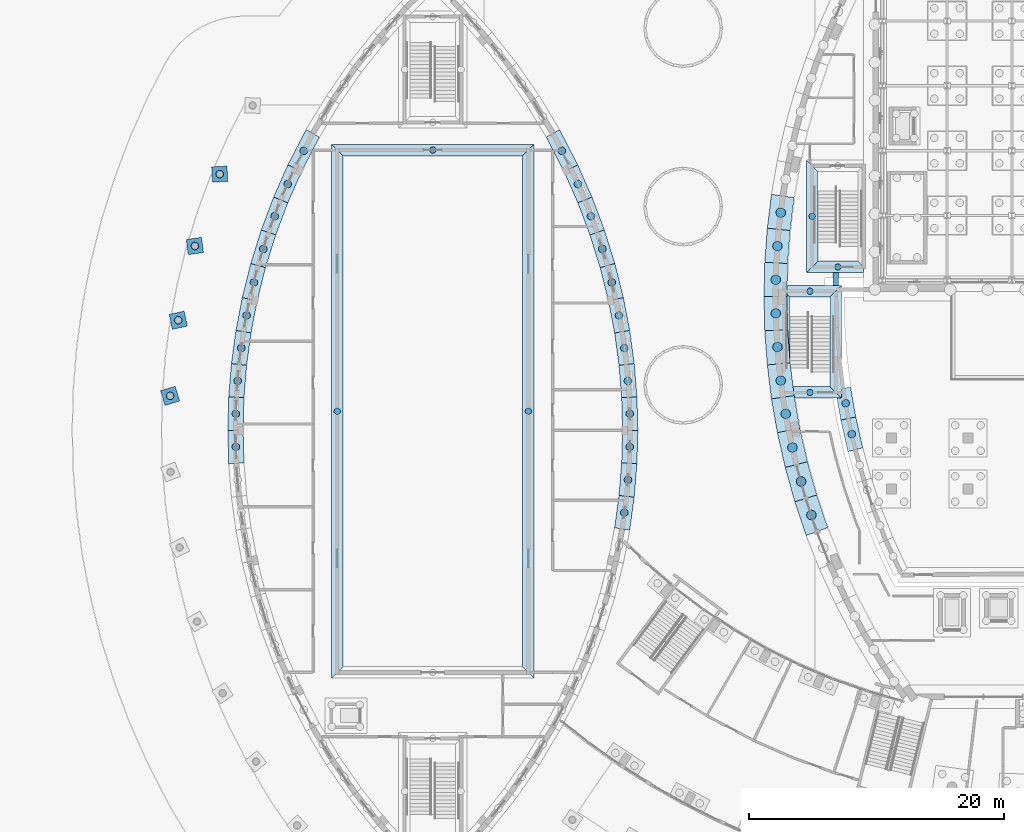
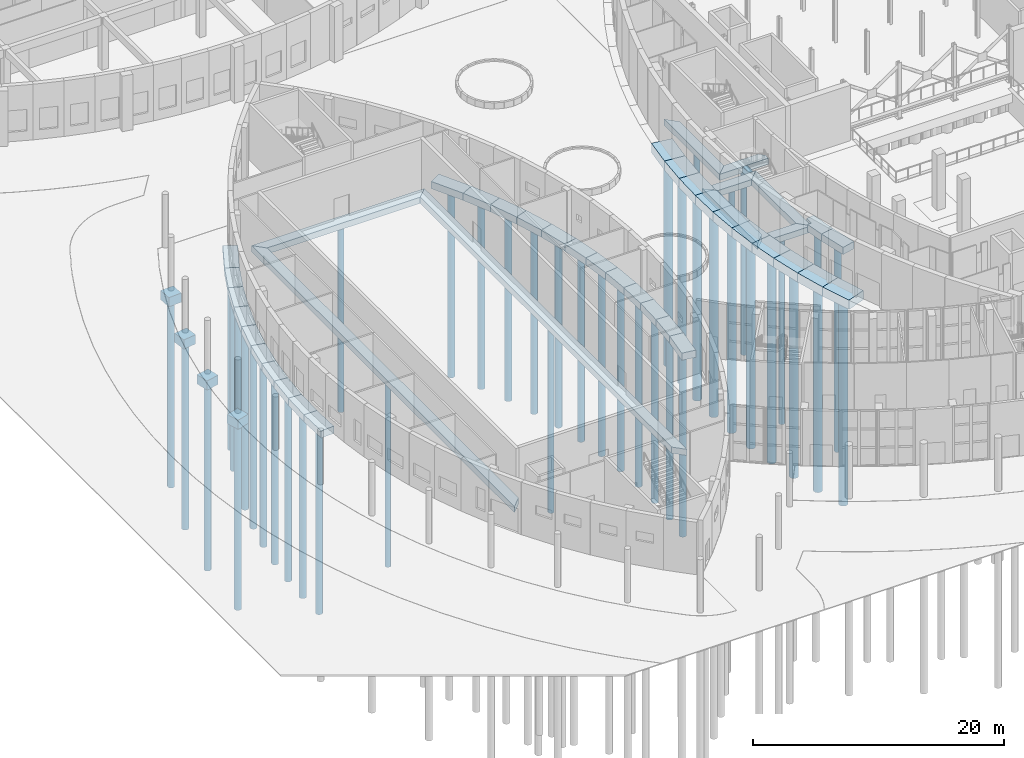
# One storey, part 2 of 82: 48 footings, 45 piles.
"""IFC4 building model written with IfcOpenShell, lengths in metres."""

from ifc_helpers import new_model, si_unit, direction, frame, origin, origin_2d, place, context, subcontext, project, spatial, polyline, rectangle, circle, outline, extrude, material, material_profile, profile_set, type_object, element, save


model = new_model("IFC4")

# Units and contexts
model_context = context("Model", 3, precision=1e-05, world=origin(), true_north=direction((0.0, 1.0)))
body_context = subcontext(model_context, "Body", "Model", "MODEL_VIEW")
ifc_project = project(units=[si_unit("LENGTHUNIT", "METRE"), si_unit("AREAUNIT", "SQUARE_METRE"), si_unit("VOLUMEUNIT", "CUBIC_METRE"), si_unit("PLANEANGLEUNIT", "RADIAN"), si_unit("MASSUNIT", "GRAM", prefix="KILO")], contexts=[model_context])

# Site, building, storey
site_placement = place(None, origin())
site = spatial("IfcSite", under=ifc_project, at=site_placement, CompositionType="ELEMENT")
building_placement = place(site_placement, origin())
building = spatial("IfcBuilding", under=site, at=building_placement, Name="Tide Square Theatres", CompositionType="ELEMENT")
storey_placement = place(building_placement, origin())
storey = spatial("IfcBuildingStorey", under=building, at=storey_placement, Name="L00", CompositionType="ELEMENT", Elevation=0.0)

# Piles
ifc_material_1 = material(Name="Concrete C30", Category="concrete")
ifc_material_profile_1 = material_profile(ifc_material_1, circle(Radius=0.25, at=origin_2d()))
ifc_profile_set_1 = profile_set([ifc_material_profile_1], Name="Concrete C30")
pile_type_1 = type_object("IfcPileType", Name="Bored pile D500", PredefinedType="BORED", material=ifc_profile_set_1)
for number, where, z_axis, x_axis, name in (
    (1, (67.800048828125, 57.324951171875, -0.699951171875), (0.0, 0.0, -1.0), (1.0, 0.0, 0.0), "Bored pile 001"),
    (2, (65.77490234375, 61.300048828125, -0.699951171875), (0.0, 0.0, -1.0), (1.0, 0.0, 0.0), "Bored pile 002"),
    (3, (65.60009765625, 47.47509765625, -0.699951171875), (0.0, 0.0, -1.0), (1.0, 0.0, 0.0), "Bored pile 007"),
    (4, (65.60009765625, 55.425048828125, -0.699951171875), (0.0, 0.0, -1.0), (1.0, 0.0, 0.0), "Bored pile 008"),
    (5, (36.0, 66.5, -0.699951171875), (0.0, 0.0, -1.0), (1.0, 0.0, 0.0), "Bored pile 057"),
    (6, (28.5, 46.0, -0.699951171875), (0.0, 0.0, -1.0), (1.0, 0.0, 0.0), "Bored pile 058"),
    (7, (43.5, 46.0, -0.699951171875), (0.0, 0.0, -1.0), (1.0, 0.0, 0.0), "Bored pile 060"),
):
    element("IfcPile", number, at=place(storey_placement, frame(where, z_axis=z_axis, x_axis=x_axis)), inside=storey, type_object=pile_type_1, Name=name, PredefinedType="BORED", context=body_context, shape_type="SweptSolid", body=[
        extrude(circle(Radius=0.25, at=origin_2d()), origin(), (0.0, 0.0, 1.0), 18.14990234375),
    ])
ifc_material_2 = material(Name="Concrete C30", Category="concrete")
ifc_material_profile_2 = material_profile(ifc_material_2, circle(Radius=0.300048828125, at=origin_2d()))
ifc_profile_set_2 = profile_set([ifc_material_profile_2], Name="Concrete C30")
pile_type_2 = type_object("IfcPileType", Name="Bored pile D600", PredefinedType="BORED", material=ifc_profile_set_2)
for number, where, z_axis, x_axis, name in (
    (8, (19.2744140625, 64.614501953125, -1.0), (0.0, 0.0, -1.0), (1.0, 0.0, 0.0), "Foyer bored pile"),
    (9, (17.32275390625, 58.970703125, -1.0), (0.0, 0.0, -1.0), (1.0, 0.0, 0.0), "Foyer bored pile"),
    (10, (16.0185546875, 53.143310546875, -1.0), (0.0, 0.0, -1.0), (1.0, 0.0, 0.0), "Foyer bored pile"),
    (11, (15.378662109375, 47.2060546875, -1.0), (0.0, 0.0, -1.0), (1.0, 0.0, 0.0), "Foyer bored pile"),
):
    element("IfcPile", number, at=place(storey_placement, frame(where, z_axis=z_axis, x_axis=x_axis)), inside=storey, type_object=pile_type_2, Name=name, PredefinedType="BORED", context=body_context, shape_type="SweptSolid", body=[
        extrude(circle(Radius=0.300048828125, at=origin_2d()), origin(), (0.0, 0.0, 1.0), 18.14990234375),
    ])
for number, where, z_axis, x_axis, name in (
    (12, (68.404052734375, 46.616943359375, -0.550048828125), (0.0, 0.0, -1.0), (1.0, 0.0, 0.0), "Bored pile"),
    (13, (68.886474609375, 44.20751953125, -0.550048828125), (0.0, 0.0, -1.0), (1.0, 0.0, 0.0), "Bored pile"),
):
    element("IfcPile", number, at=place(storey_placement, frame(where, z_axis=z_axis, x_axis=x_axis)), inside=storey, type_object=pile_type_2, Name=name, PredefinedType="BORED", context=body_context, shape_type="SweptSolid", body=[
        extrude(circle(Radius=0.300048828125, at=origin_2d()), origin(), (0.0, 0.0, 1.0), 20.14990234375),
    ])
for number, where, z_axis, x_axis, name in (
    (14, (51.03662109375, 38.0400390625, -0.800048828125), (0.0, 0.0, -1.0), (1.0, 0.0, 0.0), "Bored pile 012"),
    (15, (51.317138671875, 40.616455078125, -0.800048828125), (0.0, 0.0, -1.0), (1.0, 0.0, 0.0), "Bored pile 013"),
    (16, (51.457763671875, 43.2041015625, -0.800048828125), (0.0, 0.0, -1.0), (1.0, 0.0, 0.0), "Bored pile 014"),
    (17, (51.457763671875, 45.7958984375, -0.800048828125), (0.0, 0.0, -1.0), (1.0, 0.0, 0.0), "Bored pile 015"),
    (18, (51.317138671875, 48.383544921875, -0.800048828125), (0.0, 0.0, -1.0), (1.0, 0.0, 0.0), "Bored pile 016"),
    (19, (51.03662109375, 50.9599609375, -0.800048828125), (0.0, 0.0, -1.0), (1.0, 0.0, 0.0), "Bored pile 017"),
    (20, (50.61669921875, 53.51708984375, -0.800048828125), (0.0, 0.0, -1.0), (1.0, 0.0, 0.0), "Bored pile 018"),
    (21, (50.040771484375, 56.1123046875, -0.800048828125), (0.0, 0.0, -1.0), (1.0, 0.0, 0.0), "Bored pile 019"),
    (22, (49.303466796875, 58.7353515625, -0.800048828125), (0.0, 0.0, -1.0), (1.0, 0.0, 0.0), "Bored pile 020"),
    (23, (48.41796875, 61.31201171875, -0.800048828125), (0.0, 0.0, -1.0), (1.0, 0.0, 0.0), "Bored pile 021"),
    (24, (47.386962890625, 63.833984375, -0.800048828125), (0.0, 0.0, -1.0), (1.0, 0.0, 0.0), "Bored pile 022"),
    (25, (46.130126953125, 66.444091796875, -0.800048828125), (0.0, 0.0, -1.0), (1.0, 0.0, 0.0), "Bored pile 023"),
    (26, (25.869873046875, 66.444091796875, -0.800048828125), (0.0, 0.0, -1.0), (1.0, 0.0, 0.0), "Bored pile 034"),
    (27, (24.613037109375, 63.833984375, -0.800048828125), (0.0, 0.0, -1.0), (1.0, 0.0, 0.0), "Bored pile 035"),
    (28, (23.58203125, 61.31201171875, -0.800048828125), (0.0, 0.0, -1.0), (1.0, 0.0, 0.0), "Bored pile 036"),
    (29, (22.696533203125, 58.7353515625, -0.800048828125), (0.0, 0.0, -1.0), (1.0, 0.0, 0.0), "Bored pile 037"),
    (30, (21.959228515625, 56.1123046875, -0.800048828125), (0.0, 0.0, -1.0), (1.0, 0.0, 0.0), "Bored pile 038"),
    (31, (21.38330078125, 53.51708984375, -0.800048828125), (0.0, 0.0, -1.0), (1.0, 0.0, 0.0), "Bored pile 039"),
    (32, (20.96337890625, 50.9599609375, -0.800048828125), (0.0, 0.0, -1.0), (1.0, 0.0, 0.0), "Bored pile 040"),
    (33, (20.682861328125, 48.383544921875, -0.800048828125), (0.0, 0.0, -1.0), (1.0, 0.0, 0.0), "Bored pile 041"),
    (34, (20.542236328125, 45.7958984375, -0.800048828125), (0.0, 0.0, -1.0), (1.0, 0.0, 0.0), "Bored pile 042"),
    (35, (20.542236328125, 43.2041015625, -0.800048828125), (0.0, 0.0, -1.0), (1.0, 0.0, 0.0), "Bored pile 043"),
):
    element("IfcPile", number, at=place(storey_placement, frame(where, z_axis=z_axis, x_axis=x_axis)), inside=storey, type_object=pile_type_2, Name=name, PredefinedType="BORED", context=body_context, shape_type="SweptSolid", body=[
        extrude(circle(Radius=0.300048828125, at=origin_2d()), origin(), (0.0, 0.0, 1.0), 18.14990234375),
    ])
ifc_material_3 = material(Name="Concrete C30", Category="concrete")
ifc_material_profile_3 = material_profile(ifc_material_3, circle(Radius=0.375, at=origin_2d()))
ifc_profile_set_3 = profile_set([ifc_material_profile_3], Name="Concrete C30")
pile_type_3 = type_object("IfcPileType", Name="Bored pile D750", PredefinedType="BORED", material=ifc_profile_set_3)
for number, where, z_axis, x_axis, name in (
    (36, (63.3115234375, 61.588623046875, -0.75), (0.0, 0.0, -1.0), (1.0, 0.0, 0.0), "Bored pile"),
    (37, (63.05224609375, 58.95947265625, -0.75), (0.0, 0.0, -1.0), (1.0, 0.0, 0.0), "Bored pile"),
    (38, (62.922607421875, 56.32080078125, -0.75), (0.0, 0.0, -1.0), (1.0, 0.0, 0.0), "Bored pile"),
    (39, (62.922607421875, 53.67919921875, -0.75), (0.0, 0.0, -1.0), (1.0, 0.0, 0.0), "Bored pile"),
    (40, (63.05224609375, 51.04052734375, -0.75), (0.0, 0.0, -1.0), (1.0, 0.0, 0.0), "Bored pile"),
    (41, (63.3115234375, 48.411376953125, -0.75), (0.0, 0.0, -1.0), (1.0, 0.0, 0.0), "Bored pile"),
    (42, (63.69970703125, 45.79833984375, -0.75), (0.0, 0.0, -1.0), (1.0, 0.0, 0.0), "Bored pile"),
    (43, (64.22900390625, 43.154296875, -0.75), (0.0, 0.0, -1.0), (1.0, 0.0, 0.0), "Bored pile"),
    (44, (64.90380859375, 40.48681640625, -0.75), (0.0, 0.0, -1.0), (1.0, 0.0, 0.0), "Bored pile"),
    (45, (65.714111328125, 37.857421875, -0.75), (0.0, 0.0, -1.0), (1.0, 0.0, 0.0), "Bored pile"),
):
    element("IfcPile", number, at=place(storey_placement, frame(where, z_axis=z_axis, x_axis=x_axis)), inside=storey, type_object=pile_type_3, Name=name, PredefinedType="BORED", context=body_context, shape_type="SweptSolid", body=[
        extrude(circle(Radius=0.375, at=origin_2d()), origin(), (0.0, 0.0, 1.0), 20.14990234375),
    ])

# Footings
ifc_material_4 = material(Name="Concrete C35", Category="concrete")
footing_type_1 = type_object("IfcFootingType", Name="Ground beam 400 x 600", PredefinedType="FOOTING_BEAM", material=ifc_material_4)
footing_1_placement = place(storey_placement, frame((0.0, 0.0, -0.85009765625)))
element("IfcFooting", 46, at=footing_1_placement, inside=storey, type_object=footing_type_1, Name="Main Theatre West Circle Stair ground beam 012", PredefinedType="FOOTING_BEAM", context=body_context, shape_type="SweptSolid", body=[
    extrude(outline(polyline([(67.824951171875, 55.8701171875), (67.425048828125, 55.8701171875), (67.425048828125, 56.8759765625), (67.824951171875, 56.8759765625), (67.824951171875, 55.8701171875)])), origin(), (0.0, 0.0, 1.0), 0.60009765625),
])
ifc_material_5 = material(Name="Concrete C35", Category="concrete")
footing_type_2 = type_object("IfcFootingType", Name="Pile cap 1 piles D600", PredefinedType="PILE_CAP", material=ifc_material_5)
for number, where, z_axis, x_axis, name in (
    (47, (19.2744140625, 64.614501953125, -1.14990234375), (0.0, 0.0, 1.0), (0.052234865609, -0.998634827559, 0.0), "Foyer pile cap"),
    (48, (17.32275390625, 58.970703125, -1.14990234375), (0.0, 0.0, 1.0), (0.134193733514, -0.990955115979, 0.0), "Foyer pile cap"),
    (49, (16.0185546875, 53.143310546875, -1.14990234375), (0.0, 0.0, 1.0), (0.213502720104, -0.976942469395, 0.0), "Foyer pile cap"),
    (50, (15.378662109375, 47.2060546875, -1.14990234375), (0.0, 0.0, 1.0), (0.290002404894, -0.957025916658, 0.0), "Foyer pile cap"),
):
    element("IfcFooting", number, at=place(storey_placement, frame(where, z_axis=z_axis, x_axis=x_axis)), inside=storey, type_object=footing_type_2, Name=name, PredefinedType="PILE_CAP", context=body_context, shape_type="SweptSolid", body=[
        extrude(rectangle(XDim=1.199951171875, YDim=1.199951171875, at=origin_2d()), origin(), (0.0, 0.0, 1.0), 0.89990234375),
    ])
ifc_material_6 = material(Name="Concrete C35", Category="concrete")
footing_type_3 = type_object("IfcFootingType", Name="Strip footing 1200 x 700", PredefinedType="STRIP_FOOTING", material=ifc_material_6)
footing_2_placement = place(storey_placement, frame((0.0, 0.0, -0.699951171875)))
element("IfcFooting", 51, at=footing_2_placement, inside=storey, type_object=footing_type_3, Name="Strip footing", PredefinedType="STRIP_FOOTING", context=body_context, shape_type="SweptSolid", body=[
    extrude(outline(polyline([(68.791748046875, 47.889892578125), (69.198486328125, 45.549560546875), (68.021240234375, 45.314453125), (67.72412109375, 47.02490234375), (68.074951171875, 47.02490234375), (68.074951171875, 47.783447265625), (68.791748046875, 47.889892578125)])), origin(), (0.0, 0.0, 1.0), 0.699951171875),
])
footing_3_placement = place(storey_placement, frame((0.0, 0.0, -0.699951171875)))
element("IfcFooting", 52, at=footing_3_placement, inside=storey, type_object=footing_type_3, Name="Strip footing", PredefinedType="STRIP_FOOTING", context=body_context, shape_type="SweptSolid", body=[
    extrude(outline(polyline([(68.021240234375, 45.314453125), (68.5810546875, 42.836181640625), (69.744873046875, 43.130615234375), (69.198486328125, 45.549560546875), (68.021240234375, 45.314453125)])), origin(), (0.0, 0.0, 1.0), 0.699951171875),
])
footing_4_placement = place(storey_placement, frame((0.0, 0.0, -0.949951171875)))
element("IfcFooting", 53, at=footing_4_placement, inside=storey, type_object=footing_type_3, Name="Studio Theatre wall strip footing 012", PredefinedType="STRIP_FOOTING", context=body_context, shape_type="SweptSolid", body=[
    extrude(outline(polyline([(51.45361328125, 36.658447265625), (51.80859375, 39.259521484375), (50.614990234375, 39.389404296875), (50.26904296875, 36.852783203125), (51.45361328125, 36.658447265625)])), origin(), (0.0, 0.0, 1.0), 0.699951171875),
])
footing_5_placement = place(storey_placement, frame((0.0, 0.0, -0.949951171875)))
element("IfcFooting", 54, at=footing_5_placement, inside=storey, type_object=footing_type_3, Name="Studio Theatre wall strip footing 013", PredefinedType="STRIP_FOOTING", context=body_context, shape_type="SweptSolid", body=[
    extrude(outline(polyline([(51.80859375, 39.259521484375), (52.021728515625, 41.8759765625), (50.8232421875, 41.94091796875), (50.614990234375, 39.389404296875), (51.80859375, 39.259521484375)])), origin(), (0.0, 0.0, 1.0), 0.699951171875),
])
footing_6_placement = place(storey_placement, frame((0.0, 0.0, -0.949951171875)))
element("IfcFooting", 55, at=footing_6_placement, inside=storey, type_object=footing_type_3, Name="Studio Theatre wall strip footing 014", PredefinedType="STRIP_FOOTING", context=body_context, shape_type="SweptSolid", body=[
    extrude(outline(polyline([(52.021728515625, 41.8759765625), (52.093017578125, 44.5), (50.892578125, 44.5), (50.8232421875, 41.94091796875), (52.021728515625, 41.8759765625)])), origin(), (0.0, 0.0, 1.0), 0.699951171875),
])
footing_7_placement = place(storey_placement, frame((0.0, 0.0, -0.949951171875)))
element("IfcFooting", 56, at=footing_7_placement, inside=storey, type_object=footing_type_3, Name="Studio Theatre wall strip footing 015", PredefinedType="STRIP_FOOTING", context=body_context, shape_type="SweptSolid", body=[
    extrude(outline(polyline([(52.093017578125, 44.5), (52.021728515625, 47.1240234375), (50.8232421875, 47.05908203125), (50.892578125, 44.5), (52.093017578125, 44.5)])), origin(), (0.0, 0.0, 1.0), 0.699951171875),
])
footing_8_placement = place(storey_placement, frame((0.0, 0.0, -0.949951171875)))
element("IfcFooting", 57, at=footing_8_placement, inside=storey, type_object=footing_type_3, Name="Studio Theatre wall strip footing 016", PredefinedType="STRIP_FOOTING", context=body_context, shape_type="SweptSolid", body=[
    extrude(outline(polyline([(52.021728515625, 47.1240234375), (51.80859375, 49.740478515625), (50.614990234375, 49.610595703125), (50.8232421875, 47.05908203125), (52.021728515625, 47.1240234375)])), origin(), (0.0, 0.0, 1.0), 0.699951171875),
])
footing_9_placement = place(storey_placement, frame((0.0, 0.0, -0.949951171875)))
element("IfcFooting", 58, at=footing_9_placement, inside=storey, type_object=footing_type_3, Name="Studio Theatre wall strip footing 017", PredefinedType="STRIP_FOOTING", context=body_context, shape_type="SweptSolid", body=[
    extrude(outline(polyline([(51.80859375, 49.740478515625), (51.45361328125, 52.341552734375), (50.26904296875, 52.147216796875), (50.614990234375, 49.610595703125), (51.80859375, 49.740478515625)])), origin(), (0.0, 0.0, 1.0), 0.699951171875),
])
footing_10_placement = place(storey_placement, frame((0.0, 0.0, -0.949951171875)))
element("IfcFooting", 59, at=footing_10_placement, inside=storey, type_object=footing_type_3, Name="Studio Theatre wall strip footing 018", PredefinedType="STRIP_FOOTING", context=body_context, shape_type="SweptSolid", body=[
    extrude(outline(polyline([(51.45361328125, 52.341552734375), (50.9580078125, 54.919921875), (49.785888671875, 54.660400390625), (50.26904296875, 52.147216796875), (51.45361328125, 52.341552734375)])), origin(), (0.0, 0.0, 1.0), 0.699951171875),
])
footing_11_placement = place(storey_placement, frame((0.0, 0.0, -0.949951171875)))
element("IfcFooting", 60, at=footing_11_placement, inside=storey, type_object=footing_type_3, Name="Studio Theatre wall strip footing 019", PredefinedType="STRIP_FOOTING", context=body_context, shape_type="SweptSolid", body=[
    extrude(outline(polyline([(50.9580078125, 54.919921875), (50.287353515625, 57.5966796875), (49.131591796875, 57.27197265625), (49.785888671875, 54.660400390625), (50.9580078125, 54.919921875)])), origin(), (0.0, 0.0, 1.0), 0.699951171875),
])
footing_12_placement = place(storey_placement, frame((0.0, 0.0, -0.949951171875)))
element("IfcFooting", 61, at=footing_12_placement, inside=storey, type_object=footing_type_3, Name="Studio Theatre wall strip footing 020", PredefinedType="STRIP_FOOTING", context=body_context, shape_type="SweptSolid", body=[
    extrude(outline(polyline([(50.287353515625, 57.5966796875), (49.465087890625, 60.2314453125), (48.329833984375, 59.84130859375), (49.131591796875, 57.27197265625), (50.287353515625, 57.5966796875)])), origin(), (0.0, 0.0, 1.0), 0.699951171875),
])
footing_13_placement = place(storey_placement, frame((0.0, 0.0, -0.949951171875)))
element("IfcFooting", 62, at=footing_13_placement, inside=storey, type_object=footing_type_3, Name="Studio Theatre wall strip footing 021", PredefinedType="STRIP_FOOTING", context=body_context, shape_type="SweptSolid", body=[
    extrude(outline(polyline([(49.465087890625, 60.2314453125), (48.493896484375, 62.81494140625), (47.3828125, 62.360595703125), (48.329833984375, 59.84130859375), (49.465087890625, 60.2314453125)])), origin(), (0.0, 0.0, 1.0), 0.699951171875),
])
footing_14_placement = place(storey_placement, frame((0.0, 0.0, -0.949951171875)))
element("IfcFooting", 63, at=footing_14_placement, inside=storey, type_object=footing_type_3, Name="Studio Theatre wall strip footing 022", PredefinedType="STRIP_FOOTING", context=body_context, shape_type="SweptSolid", body=[
    extrude(outline(polyline([(48.493896484375, 62.81494140625), (47.376708984375, 65.339599609375), (46.294189453125, 64.82080078125), (47.3828125, 62.360595703125), (48.493896484375, 62.81494140625)])), origin(), (0.0, 0.0, 1.0), 0.699951171875),
])
footing_15_placement = place(storey_placement, frame((0.0, 0.0, -0.949951171875)))
element("IfcFooting", 64, at=footing_15_placement, inside=storey, type_object=footing_type_3, Name="Studio Theatre wall strip footing 023", PredefinedType="STRIP_FOOTING", context=body_context, shape_type="SweptSolid", body=[
    extrude(outline(polyline([(47.376708984375, 65.339599609375), (45.948974609375, 68.100830078125), (44.90087890625, 67.515380859375), (46.294189453125, 64.82080078125), (47.376708984375, 65.339599609375)])), origin(), (0.0, 0.0, 1.0), 0.699951171875),
])
footing_16_placement = place(storey_placement, frame((0.0, 0.0, -0.949951171875)))
element("IfcFooting", 65, at=footing_16_placement, inside=storey, type_object=footing_type_3, Name="Studio Theatre wall strip footing 034", PredefinedType="STRIP_FOOTING", context=body_context, shape_type="SweptSolid", body=[
    extrude(outline(polyline([(26.051025390625, 68.100830078125), (24.623291015625, 65.339599609375), (25.705810546875, 64.82080078125), (27.09912109375, 67.515380859375), (26.051025390625, 68.100830078125)])), origin(), (0.0, 0.0, 1.0), 0.699951171875),
])
footing_17_placement = place(storey_placement, frame((0.0, 0.0, -0.949951171875)))
element("IfcFooting", 66, at=footing_17_placement, inside=storey, type_object=footing_type_3, Name="Studio Theatre wall strip footing 035", PredefinedType="STRIP_FOOTING", context=body_context, shape_type="SweptSolid", body=[
    extrude(outline(polyline([(24.623291015625, 65.339599609375), (23.506103515625, 62.81494140625), (24.6171875, 62.360595703125), (25.705810546875, 64.82080078125), (24.623291015625, 65.339599609375)])), origin(), (0.0, 0.0, 1.0), 0.699951171875),
])
footing_18_placement = place(storey_placement, frame((0.0, 0.0, -0.949951171875)))
element("IfcFooting", 67, at=footing_18_placement, inside=storey, type_object=footing_type_3, Name="Studio Theatre wall strip footing 036", PredefinedType="STRIP_FOOTING", context=body_context, shape_type="SweptSolid", body=[
    extrude(outline(polyline([(23.506103515625, 62.81494140625), (22.534912109375, 60.2314453125), (23.670166015625, 59.84130859375), (24.6171875, 62.360595703125), (23.506103515625, 62.81494140625)])), origin(), (0.0, 0.0, 1.0), 0.699951171875),
])
footing_19_placement = place(storey_placement, frame((0.0, 0.0, -0.949951171875)))
element("IfcFooting", 68, at=footing_19_placement, inside=storey, type_object=footing_type_3, Name="Studio Theatre wall strip footing 037", PredefinedType="STRIP_FOOTING", context=body_context, shape_type="SweptSolid", body=[
    extrude(outline(polyline([(22.534912109375, 60.2314453125), (21.712646484375, 57.5966796875), (22.868408203125, 57.27197265625), (23.670166015625, 59.84130859375), (22.534912109375, 60.2314453125)])), origin(), (0.0, 0.0, 1.0), 0.699951171875),
])
footing_20_placement = place(storey_placement, frame((0.0, 0.0, -0.949951171875)))
element("IfcFooting", 69, at=footing_20_placement, inside=storey, type_object=footing_type_3, Name="Studio Theatre wall strip footing 038", PredefinedType="STRIP_FOOTING", context=body_context, shape_type="SweptSolid", body=[
    extrude(outline(polyline([(21.712646484375, 57.5966796875), (21.0419921875, 54.919921875), (22.214111328125, 54.660400390625), (22.868408203125, 57.27197265625), (21.712646484375, 57.5966796875)])), origin(), (0.0, 0.0, 1.0), 0.699951171875),
])
footing_21_placement = place(storey_placement, frame((0.0, 0.0, -0.949951171875)))
element("IfcFooting", 70, at=footing_21_placement, inside=storey, type_object=footing_type_3, Name="Studio Theatre wall strip footing 039", PredefinedType="STRIP_FOOTING", context=body_context, shape_type="SweptSolid", body=[
    extrude(outline(polyline([(21.0419921875, 54.919921875), (20.54638671875, 52.341552734375), (21.73095703125, 52.147216796875), (22.214111328125, 54.660400390625), (21.0419921875, 54.919921875)])), origin(), (0.0, 0.0, 1.0), 0.699951171875),
])
footing_22_placement = place(storey_placement, frame((0.0, 0.0, -0.949951171875)))
element("IfcFooting", 71, at=footing_22_placement, inside=storey, type_object=footing_type_3, Name="Studio Theatre wall strip footing 040", PredefinedType="STRIP_FOOTING", context=body_context, shape_type="SweptSolid", body=[
    extrude(outline(polyline([(20.54638671875, 52.341552734375), (20.19140625, 49.740478515625), (21.385009765625, 49.610595703125), (21.73095703125, 52.147216796875), (20.54638671875, 52.341552734375)])), origin(), (0.0, 0.0, 1.0), 0.699951171875),
])
footing_23_placement = place(storey_placement, frame((0.0, 0.0, -0.949951171875)))
element("IfcFooting", 72, at=footing_23_placement, inside=storey, type_object=footing_type_3, Name="Studio Theatre wall strip footing 041", PredefinedType="STRIP_FOOTING", context=body_context, shape_type="SweptSolid", body=[
    extrude(outline(polyline([(20.19140625, 49.740478515625), (19.978271484375, 47.1240234375), (21.1767578125, 47.05908203125), (21.385009765625, 49.610595703125), (20.19140625, 49.740478515625)])), origin(), (0.0, 0.0, 1.0), 0.699951171875),
])
footing_24_placement = place(storey_placement, frame((0.0, 0.0, -0.949951171875)))
element("IfcFooting", 73, at=footing_24_placement, inside=storey, type_object=footing_type_3, Name="Studio Theatre wall strip footing 042", PredefinedType="STRIP_FOOTING", context=body_context, shape_type="SweptSolid", body=[
    extrude(outline(polyline([(19.978271484375, 47.1240234375), (19.906982421875, 44.5), (21.107421875, 44.5), (21.1767578125, 47.05908203125), (19.978271484375, 47.1240234375)])), origin(), (0.0, 0.0, 1.0), 0.699951171875),
])
footing_25_placement = place(storey_placement, frame((0.0, 0.0, -0.949951171875)))
element("IfcFooting", 74, at=footing_25_placement, inside=storey, type_object=footing_type_3, Name="Studio Theatre wall strip footing 043", PredefinedType="STRIP_FOOTING", context=body_context, shape_type="SweptSolid", body=[
    extrude(outline(polyline([(19.906982421875, 44.5), (19.978271484375, 41.8759765625), (21.1767578125, 41.94091796875), (21.107421875, 44.5), (19.906982421875, 44.5)])), origin(), (0.0, 0.0, 1.0), 0.699951171875),
])
ifc_material_7 = material(Name="Concrete C35", Category="concrete")
footing_type_4 = type_object("IfcFootingType", Name="Strip footing 1800 x 900", PredefinedType="STRIP_FOOTING", material=ifc_material_7)
footing_26_placement = place(storey_placement, frame((0.0, 0.0, -0.89990234375)))
element("IfcFooting", 75, at=footing_26_placement, inside=storey, type_object=footing_type_4, Name="Strip footing", PredefinedType="STRIP_FOOTING", context=body_context, shape_type="SweptSolid", body=[
    extrude(outline(polyline([(62.5830078125, 63.0322265625), (62.253662109375, 60.365478515625), (64.04541015625, 60.18896484375), (64.364013671875, 62.767578125), (62.5830078125, 63.0322265625)])), origin(), (0.0, 0.0, 1.0), 0.89990234375),
])
footing_27_placement = place(storey_placement, frame((0.0, 0.0, -0.89990234375)))
element("IfcFooting", 76, at=footing_27_placement, inside=storey, type_object=footing_type_4, Name="Strip footing", PredefinedType="STRIP_FOOTING", context=body_context, shape_type="SweptSolid", body=[
    extrude(outline(polyline([(62.253662109375, 60.365478515625), (62.055908203125, 57.68603515625), (63.85400390625, 57.59765625), (64.04541015625, 60.18896484375), (62.253662109375, 60.365478515625)])), origin(), (0.0, 0.0, 1.0), 0.89990234375),
])
footing_28_placement = place(storey_placement, frame((0.0, 0.0, -0.89990234375)))
element("IfcFooting", 77, at=footing_28_placement, inside=storey, type_object=footing_type_4, Name="Strip footing", PredefinedType="STRIP_FOOTING", context=body_context, shape_type="SweptSolid", body=[
    extrude(outline(polyline([(62.055908203125, 57.68603515625), (61.98974609375, 55.0), (63.790283203125, 55.0), (63.85400390625, 57.59765625), (62.055908203125, 57.68603515625)])), origin(), (0.0, 0.0, 1.0), 0.89990234375),
])
footing_29_placement = place(storey_placement, frame((0.0, 0.0, -0.89990234375)))
element("IfcFooting", 78, at=footing_29_placement, inside=storey, type_object=footing_type_4, Name="Strip footing", PredefinedType="STRIP_FOOTING", context=body_context, shape_type="SweptSolid", body=[
    extrude(outline(polyline([(61.98974609375, 55.0), (62.055908203125, 52.31396484375), (63.85400390625, 52.40234375), (63.790283203125, 55.0), (61.98974609375, 55.0)])), origin(), (0.0, 0.0, 1.0), 0.89990234375),
])
footing_30_placement = place(storey_placement, frame((0.0, 0.0, -0.89990234375)))
element("IfcFooting", 79, at=footing_30_placement, inside=storey, type_object=footing_type_4, Name="Strip footing", PredefinedType="STRIP_FOOTING", context=body_context, shape_type="SweptSolid", body=[
    extrude(outline(polyline([(62.055908203125, 52.31396484375), (62.253662109375, 49.634521484375), (64.04541015625, 49.81103515625), (63.85400390625, 52.40234375), (62.055908203125, 52.31396484375)])), origin(), (0.0, 0.0, 1.0), 0.89990234375),
])
footing_31_placement = place(storey_placement, frame((0.0, 0.0, -0.89990234375)))
element("IfcFooting", 80, at=footing_31_placement, inside=storey, type_object=footing_type_4, Name="Strip footing", PredefinedType="STRIP_FOOTING", context=body_context, shape_type="SweptSolid", body=[
    extrude(outline(polyline([(62.253662109375, 49.634521484375), (62.5830078125, 46.9677734375), (64.364013671875, 47.232421875), (64.04541015625, 49.81103515625), (62.253662109375, 49.634521484375)])), origin(), (0.0, 0.0, 1.0), 0.89990234375),
])
footing_32_placement = place(storey_placement, frame((0.0, 0.0, -0.89990234375)))
element("IfcFooting", 81, at=footing_32_placement, inside=storey, type_object=footing_type_4, Name="Strip footing", PredefinedType="STRIP_FOOTING", context=body_context, shape_type="SweptSolid", body=[
    extrude(outline(polyline([(62.5830078125, 46.9677734375), (63.04296875, 44.3203125), (64.80859375, 44.6728515625), (64.364013671875, 47.232421875), (62.5830078125, 46.9677734375)])), origin(), (0.0, 0.0, 1.0), 0.89990234375),
])
footing_33_placement = place(storey_placement, frame((0.0, 0.0, -0.89990234375)))
element("IfcFooting", 82, at=footing_33_placement, inside=storey, type_object=footing_type_4, Name="Strip footing", PredefinedType="STRIP_FOOTING", context=body_context, shape_type="SweptSolid", body=[
    extrude(outline(polyline([(63.04296875, 44.3203125), (63.659423828125, 41.591064453125), (65.405029296875, 42.03271484375), (64.80859375, 44.6728515625), (63.04296875, 44.3203125)])), origin(), (0.0, 0.0, 1.0), 0.89990234375),
])
footing_34_placement = place(storey_placement, frame((0.0, 0.0, -0.89990234375)))
element("IfcFooting", 83, at=footing_34_placement, inside=storey, type_object=footing_type_4, Name="Strip footing", PredefinedType="STRIP_FOOTING", context=body_context, shape_type="SweptSolid", body=[
    extrude(outline(polyline([(63.659423828125, 41.591064453125), (64.4150390625, 38.896484375), (66.1357421875, 39.427001953125), (65.405029296875, 42.03271484375), (63.659423828125, 41.591064453125)])), origin(), (0.0, 0.0, 1.0), 0.89990234375),
])
footing_35_placement = place(storey_placement, frame((0.0, 0.0, -0.89990234375)))
element("IfcFooting", 84, at=footing_35_placement, inside=storey, type_object=footing_type_4, Name="Strip footing", PredefinedType="STRIP_FOOTING", context=body_context, shape_type="SweptSolid", body=[
    extrude(outline(polyline([(64.4150390625, 38.896484375), (65.307373046875, 36.244384765625), (66.998779296875, 36.862060546875), (66.1357421875, 39.427001953125), (64.4150390625, 38.896484375)])), origin(), (0.0, 0.0, 1.0), 0.89990234375),
])
ifc_material_8 = material(Name="Concrete C35", Category="concrete")
footing_type_5 = type_object("IfcFootingType", Name="Strip footing 900 x 600", PredefinedType="STRIP_FOOTING", material=ifc_material_8)
footing_36_placement = place(storey_placement, frame((0.0, 0.0, -0.85009765625)))
element("IfcFooting", 85, at=footing_36_placement, inside=storey, type_object=footing_type_5, Name="Main Theatre West Stair wall footing 002", PredefinedType="STRIP_FOOTING", context=body_context, shape_type="SweptSolid", body=[
    extrude(outline(polyline([(65.324951171875, 65.72509765625), (65.324951171875, 56.875), (66.22509765625, 57.77490234375), (66.22509765625, 64.824951171875), (65.324951171875, 65.72509765625)])), origin(), (0.0, 0.0, 1.0), 0.60009765625),
])
footing_37_placement = place(storey_placement, frame((0.0, 0.0, -0.85009765625)))
element("IfcFooting", 86, at=footing_37_placement, inside=storey, type_object=footing_type_5, Name="Main Theatre West Stair wall footing 003", PredefinedType="STRIP_FOOTING", context=body_context, shape_type="SweptSolid", body=[
    extrude(outline(polyline([(65.324951171875, 56.875), (66.22509765625, 57.77490234375), (69.375, 57.77490234375), (69.800048828125, 57.35009765625), (69.800048828125, 56.875), (65.324951171875, 56.875)])), origin(), (0.0, 0.0, 1.0), 0.60009765625),
])
footing_38_placement = place(storey_placement, frame((0.0, 0.0, -0.85009765625)))
element("IfcFooting", 87, at=footing_38_placement, inside=storey, type_object=footing_type_5, Name="Main Theatre West Circle Stair wall footing 009", PredefinedType="STRIP_FOOTING", context=body_context, shape_type="SweptSolid", body=[
    extrude(outline(polyline([(68.074951171875, 55.875), (67.175048828125, 54.97509765625), (64.02490234375, 54.97509765625), (63.79541015625, 55.20458984375), (63.811767578125, 55.875), (68.074951171875, 55.875)])), origin(), (0.0, 0.0, 1.0), 0.60009765625),
])
footing_39_placement = place(storey_placement, frame((0.0, 0.0, -0.85009765625)))
element("IfcFooting", 88, at=footing_39_placement, inside=storey, type_object=footing_type_5, Name="Main Theatre West Circle Stair wall footing 010", PredefinedType="STRIP_FOOTING", context=body_context, shape_type="SweptSolid", body=[
    extrude(outline(polyline([(63.125, 55.875), (63.125, 47.02490234375), (64.02490234375, 47.925048828125), (64.02490234375, 54.97509765625), (63.125, 55.875)])), origin(), (0.0, 0.0, 1.0), 0.60009765625),
])
footing_40_placement = place(storey_placement, frame((0.0, 0.0, -0.85009765625)))
element("IfcFooting", 89, at=footing_40_placement, inside=storey, type_object=footing_type_5, Name="Main Theatre West Circle Stair wall footing 011", PredefinedType="STRIP_FOOTING", context=body_context, shape_type="SweptSolid", body=[
    extrude(outline(polyline([(67.175048828125, 47.925048828125), (68.074951171875, 47.02490234375), (64.39990234375, 47.02490234375), (64.364013671875, 47.232421875), (64.2783203125, 47.925048828125), (67.175048828125, 47.925048828125)])), origin(), (0.0, 0.0, 1.0), 0.60009765625),
])
footing_41_placement = place(storey_placement, frame((0.0, 0.0, -0.85009765625)))
element("IfcFooting", 90, at=footing_41_placement, inside=storey, type_object=footing_type_5, Name="Main Theatre West Circle Stair wall footing 012", PredefinedType="STRIP_FOOTING", context=body_context, shape_type="SweptSolid", body=[
    extrude(outline(polyline([(68.074951171875, 47.02490234375), (68.074951171875, 55.875), (67.175048828125, 54.97509765625), (67.175048828125, 47.925048828125), (68.074951171875, 47.02490234375)])), origin(), (0.0, 0.0, 1.0), 0.60009765625),
])
footing_42_placement = place(storey_placement, frame((0.0, 0.0, -0.85009765625)))
element("IfcFooting", 91, at=footing_42_placement, inside=storey, type_object=footing_type_5, Name="Studio Theatre auditorium strip footing 057", PredefinedType="STRIP_FOOTING", context=body_context, shape_type="SweptSolid", body=[
    extrude(outline(polyline([(43.949951171875, 66.949951171875), (28.050048828125, 66.949951171875), (28.949951171875, 66.050048828125), (43.050048828125, 66.050048828125), (43.949951171875, 66.949951171875)])), origin(), (0.0, 0.0, 1.0), 0.60009765625),
])
footing_43_placement = place(storey_placement, frame((0.0, 0.0, -0.85009765625)))
element("IfcFooting", 92, at=footing_43_placement, inside=storey, type_object=footing_type_5, Name="Studio Theatre auditorium strip footing 058", PredefinedType="STRIP_FOOTING", context=body_context, shape_type="SweptSolid", body=[
    extrude(outline(polyline([(28.050048828125, 66.949951171875), (28.050048828125, 25.050048828125), (28.949951171875, 25.949951171875), (28.949951171875, 66.050048828125), (28.050048828125, 66.949951171875)])), origin(), (0.0, 0.0, 1.0), 0.60009765625),
])
footing_44_placement = place(storey_placement, frame((0.0, 0.0, -0.85009765625)))
element("IfcFooting", 93, at=footing_44_placement, inside=storey, type_object=footing_type_5, Name="Studio Theatre auditorium strip footing 060", PredefinedType="STRIP_FOOTING", context=body_context, shape_type="SweptSolid", body=[
    extrude(outline(polyline([(43.949951171875, 25.050048828125), (43.949951171875, 66.949951171875), (43.050048828125, 66.050048828125), (43.050048828125, 25.949951171875), (43.949951171875, 25.050048828125)])), origin(), (0.0, 0.0, 1.0), 0.60009765625),
])

save(model, "model.ifc")
